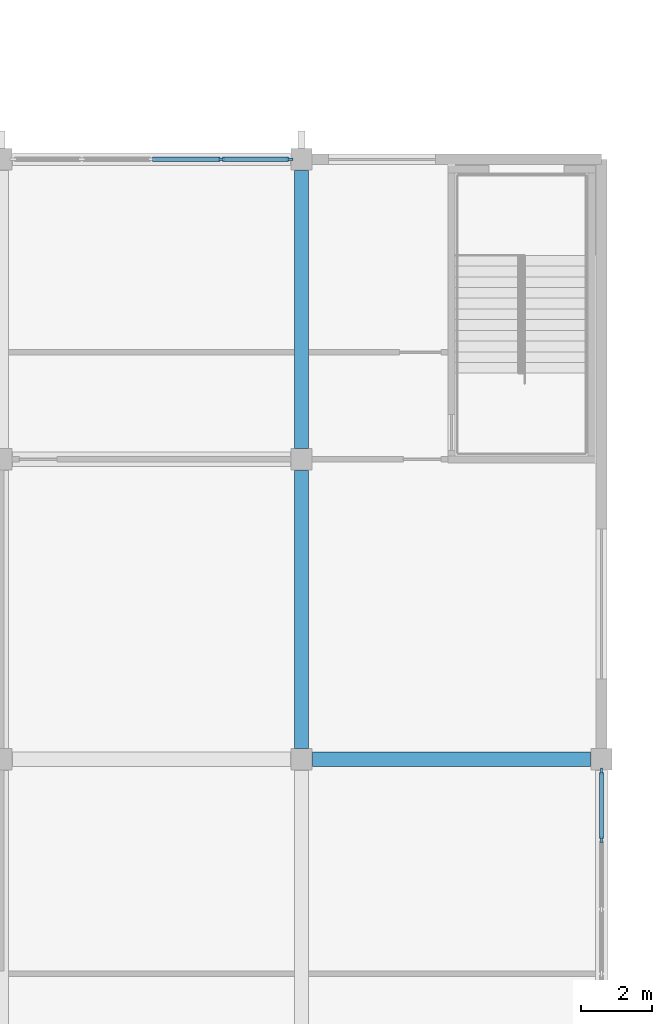
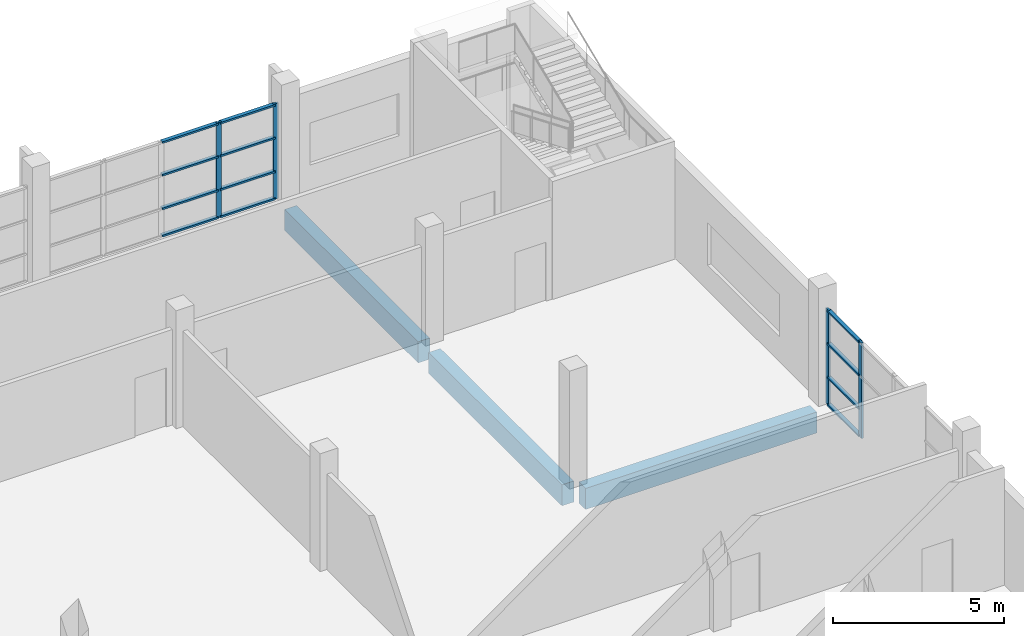
# One storey, part 6 of 56: 16 members, 3 beams, 2 elements without a shape of their own.
"""IFC4 building model written with IfcOpenShell, lengths in metres."""

from ifc_helpers import new_model, si_unit, direction, frame, origin, origin_2d, place, context, subcontext, project, spatial, rectangle, extrude, material, layer, layer_set, material_profile, profile_set, type_object, element, aggregate, save


model = new_model("IFC4")

# Units and contexts
model_context = context("Model", 3, precision=1e-05, world=origin(), true_north=direction((0.0, 1.0)))
body_context = subcontext(model_context, "Body", "Model", "MODEL_VIEW")
ifc_project = project(units=[si_unit("LENGTHUNIT", "METRE"), si_unit("AREAUNIT", "SQUARE_METRE"), si_unit("VOLUMEUNIT", "CUBIC_METRE"), si_unit("PLANEANGLEUNIT", "RADIAN"), si_unit("MASSUNIT", "GRAM", prefix="KILO")], contexts=[model_context])

# Site, building, storey
site_placement = place(None, origin())
site = spatial("IfcSite", under=ifc_project, at=site_placement, CompositionType="ELEMENT")
building_placement = place(site_placement, origin())
building = spatial("IfcBuilding", under=site, at=building_placement, Name="Rulbaag Community and Learning Centre", CompositionType="ELEMENT")
storey_placement = place(building_placement, frame((0.0, 0.0, 9.89990234375)))
storey = spatial("IfcBuildingStorey", under=building, at=storey_placement, Name="L02", CompositionType="ELEMENT", Elevation=9.89990234375)

# Beams
ifc_material_1 = material(Name="Concrete M40", Category="concrete")
ifc_material_profile_1 = material_profile(ifc_material_1, rectangle(XDim=0.39990234375, YDim=0.75, at=origin_2d()), Name="RB400x750")
ifc_profile_set_1 = profile_set([ifc_material_profile_1], Name="Concrete M40")
beam_type = type_object("IfcBeamType", Name="B22 Classroom floor beam 400x750 Concrete M40", PredefinedType="BEAM", material=ifc_profile_set_1)
for number, where, z_axis, x_axis, name in (
    (1, (159.905029296875, 33.60009765625, -0.625), (1.0, 0.0, 0.0), (0.0, 1.0, 0.0), "BM-L02-20E-21E"),
    (2, (159.60009765625, 33.905029296875, -0.625), (0.0, 1.0, 0.0), (-1.0, 0.0, 0.0), "BM-L02-20E-20F"),
    (3, (159.60009765625, 42.304931640625, -0.625), (0.0, 1.0, 0.0), (-1.0, 0.0, 0.0), "BM-L02-20F-20G"),
):
    element("IfcBeam", number, at=place(storey_placement, frame(where, z_axis=z_axis, x_axis=x_axis)), inside=storey, type_object=beam_type, Name=name, PredefinedType="BEAM", context=body_context, shape_type="SweptSolid", body=[
        extrude(rectangle(XDim=0.39990234375, YDim=0.75, at=origin_2d()), origin(), (0.0, 0.0, 1.0), 7.7900390625),
    ])

# Curtain wall, members
ifc_material_2 = material(Name="Aluminium", Category="aluminium")
ifc_layer = layer(ifc_material_2, 0.14990234375)
ifc_layer_set = layer_set([ifc_layer], Name="CW-L")
curtain_wall_type = type_object("IfcCurtainWallType", Name="CW-L", PredefinedType="USERDEFINED", material=ifc_layer_set)
curtain_wall_1_placement = place(storey_placement, origin())
curtain_wall_1 = element("IfcCurtainWall", 4, at=curtain_wall_1_placement, inside=storey, type_object=curtain_wall_type, Name="GL-L02-05", ObjectType="STICK CURTAIN WALL", PredefinedType="USERDEFINED")
ifc_material_3 = material(Name="Aluminium mullion", Category="aluminium")
ifc_material_profile_2 = material_profile(ifc_material_3, rectangle(XDim=0.06494140625, YDim=0.175048828125, at=origin_2d()), Name="AL 65x175")
ifc_profile_set_2 = profile_set([ifc_material_profile_2], Name="Aluminium mullion")
member_type_1 = type_object("IfcMemberType", Name="CW-L-MUL", PredefinedType="MULLION", material=ifc_profile_set_2)
member_1_placement = place(storey_placement, frame((157.35009765625, 50.39990234375, 0.0), z_axis=(0.0, 0.0, 1.0), x_axis=(0.0, 1.0, 0.0)))
member_1 = element("IfcMember", 5, at=member_1_placement, type_object=member_type_1, Name="GL mullion 4", PredefinedType="MULLION", context=body_context, shape_type="SweptSolid", body=[
    extrude(rectangle(XDim=0.06494140625, YDim=0.175048828125, at=origin_2d()), origin(), (0.0, 0.0, 1.0), 3.400146484375),
])
member_2_placement = place(storey_placement, frame((159.267578125, 50.39990234375, 0.0), z_axis=(0.0, 0.0, 1.0), x_axis=(0.0, 1.0, 0.0)))
member_2 = element("IfcMember", 6, at=member_2_placement, type_object=member_type_1, Name="GL mullion 5", PredefinedType="MULLION", context=body_context, shape_type="SweptSolid", body=[
    extrude(rectangle(XDim=0.06494140625, YDim=0.175048828125, at=origin_2d()), origin(), (0.0, 0.0, 1.0), 3.400146484375),
])

curtain_wall_2_placement = place(storey_placement, origin())
curtain_wall_2 = element("IfcCurtainWall", 7, at=curtain_wall_2_placement, inside=storey, type_object=curtain_wall_type, Name="GL-L02-07", ObjectType="STICK CURTAIN WALL", PredefinedType="USERDEFINED")
member_3_placement = place(storey_placement, frame((168.0, 31.35009765625, 0.0), z_axis=(0.0, 0.0, 1.0), x_axis=(-1.0, 0.0, 0.0)))
member_3 = element("IfcMember", 8, at=member_3_placement, type_object=member_type_1, Name="GL mullion 4", PredefinedType="MULLION", context=body_context, shape_type="SweptSolid", body=[
    extrude(rectangle(XDim=0.06494140625, YDim=0.175048828125, at=origin_2d()), origin(), (0.0, 0.0, 1.0), 3.400146484375),
])
member_4_placement = place(storey_placement, frame((168.0, 33.267578125, 0.0), z_axis=(0.0, 0.0, 1.0), x_axis=(-1.0, 0.0, 0.0)))
member_4 = element("IfcMember", 9, at=member_4_placement, type_object=member_type_1, Name="GL mullion 5", PredefinedType="MULLION", context=body_context, shape_type="SweptSolid", body=[
    extrude(rectangle(XDim=0.06494140625, YDim=0.175048828125, at=origin_2d()), origin(), (0.0, 0.0, 1.0), 3.400146484375),
])

# Member
ifc_material_4 = material(Name="Aluminium transom", Category="aluminium")
ifc_material_profile_3 = material_profile(ifc_material_4, rectangle(XDim=0.125, YDim=0.06494140625, at=origin_2d()), Name="AL 65x125 T")
ifc_profile_set_3 = profile_set([ifc_material_profile_3], Name="Aluminium transom")
member_type_2 = type_object("IfcMemberType", Name="CW-L-TRN", PredefinedType="USERDEFINED", material=ifc_profile_set_3)
member_5_placement = place(storey_placement, frame((155.4326171875, 50.39990234375, 0.03271484375), z_axis=(1.0, 0.0, 0.0), x_axis=(0.0, 1.0, 0.0)))
member_5 = element("IfcMember", 10, at=member_5_placement, type_object=member_type_2, Name="GL transom 3.1", ObjectType="TRANSOM", PredefinedType="USERDEFINED", context=body_context, shape_type="SweptSolid", body=[
    extrude(rectangle(XDim=0.125, YDim=0.06494140625, at=origin_2d()), origin(), (0.0, 0.0, 1.0), 1.884765625),
])

member_6_placement = place(storey_placement, frame((155.4326171875, 50.39990234375, 1.0), z_axis=(1.0, 0.0, 0.0), x_axis=(0.0, 1.0, 0.0)))
member_6 = element("IfcMember", 11, at=member_6_placement, type_object=member_type_2, Name="GL transom 3.2", ObjectType="TRANSOM", PredefinedType="USERDEFINED", context=body_context, shape_type="SweptSolid", body=[
    extrude(rectangle(XDim=0.125, YDim=0.06494140625, at=origin_2d()), origin(), (0.0, 0.0, 1.0), 1.884765625),
])

member_7_placement = place(storey_placement, frame((155.4326171875, 50.39990234375, 2.2001953125), z_axis=(1.0, 0.0, 0.0), x_axis=(0.0, 1.0, 0.0)))
member_7 = element("IfcMember", 12, at=member_7_placement, type_object=member_type_2, Name="GL transom 3.3", ObjectType="TRANSOM", PredefinedType="USERDEFINED", context=body_context, shape_type="SweptSolid", body=[
    extrude(rectangle(XDim=0.125, YDim=0.06494140625, at=origin_2d()), origin(), (0.0, 0.0, 1.0), 1.884765625),
])

member_8_placement = place(storey_placement, frame((155.4326171875, 50.39990234375, 3.36767578125), z_axis=(1.0, 0.0, 0.0), x_axis=(0.0, 1.0, 0.0)))
member_8 = element("IfcMember", 13, at=member_8_placement, type_object=member_type_2, Name="GL transom 3.4", ObjectType="TRANSOM", PredefinedType="USERDEFINED", context=body_context, shape_type="SweptSolid", body=[
    extrude(rectangle(XDim=0.125, YDim=0.06494140625, at=origin_2d()), origin(), (0.0, 0.0, 1.0), 1.884765625),
])

member_9_placement = place(storey_placement, frame((157.382568359375, 50.39990234375, 0.03271484375), z_axis=(1.0, 0.0, 0.0), x_axis=(0.0, 1.0, 0.0)))
member_9 = element("IfcMember", 14, at=member_9_placement, type_object=member_type_2, Name="GL transom 4.1", ObjectType="TRANSOM", PredefinedType="USERDEFINED", context=body_context, shape_type="SweptSolid", body=[
    extrude(rectangle(XDim=0.125, YDim=0.06494140625, at=origin_2d()), origin(), (0.0, 0.0, 1.0), 1.8525390625),
])

member_10_placement = place(storey_placement, frame((157.382568359375, 50.39990234375, 1.0), z_axis=(1.0, 0.0, 0.0), x_axis=(0.0, 1.0, 0.0)))
member_10 = element("IfcMember", 15, at=member_10_placement, type_object=member_type_2, Name="GL transom 4.2", ObjectType="TRANSOM", PredefinedType="USERDEFINED", context=body_context, shape_type="SweptSolid", body=[
    extrude(rectangle(XDim=0.125, YDim=0.06494140625, at=origin_2d()), origin(), (0.0, 0.0, 1.0), 1.8525390625),
])

member_11_placement = place(storey_placement, frame((157.382568359375, 50.39990234375, 2.2001953125), z_axis=(1.0, 0.0, 0.0), x_axis=(0.0, 1.0, 0.0)))
member_11 = element("IfcMember", 16, at=member_11_placement, type_object=member_type_2, Name="GL transom 4.3", ObjectType="TRANSOM", PredefinedType="USERDEFINED", context=body_context, shape_type="SweptSolid", body=[
    extrude(rectangle(XDim=0.125, YDim=0.06494140625, at=origin_2d()), origin(), (0.0, 0.0, 1.0), 1.8525390625),
])

member_12_placement = place(storey_placement, frame((157.382568359375, 50.39990234375, 3.36767578125), z_axis=(1.0, 0.0, 0.0), x_axis=(0.0, 1.0, 0.0)))
member_12 = element("IfcMember", 17, at=member_12_placement, type_object=member_type_2, Name="GL transom 4.4", ObjectType="TRANSOM", PredefinedType="USERDEFINED", context=body_context, shape_type="SweptSolid", body=[
    extrude(rectangle(XDim=0.125, YDim=0.06494140625, at=origin_2d()), origin(), (0.0, 0.0, 1.0), 1.8525390625),
])

aggregate(curtain_wall_1, [member_1, member_2, member_5, member_6, member_7, member_8, member_9, member_10, member_11, member_12])

member_13_placement = place(storey_placement, frame((168.0, 31.382568359375, 0.03271484375), z_axis=(0.0, 1.0, 0.0), x_axis=(-1.0, 0.0, 0.0)))
member_13 = element("IfcMember", 18, at=member_13_placement, type_object=member_type_2, Name="GL transom 4.1", ObjectType="TRANSOM", PredefinedType="USERDEFINED", context=body_context, shape_type="SweptSolid", body=[
    extrude(rectangle(XDim=0.125, YDim=0.06494140625, at=origin_2d()), origin(), (0.0, 0.0, 1.0), 1.8525390625),
])

member_14_placement = place(storey_placement, frame((168.0, 31.382568359375, 1.0), z_axis=(0.0, 1.0, 0.0), x_axis=(-1.0, 0.0, 0.0)))
member_14 = element("IfcMember", 19, at=member_14_placement, type_object=member_type_2, Name="GL transom 4.2", ObjectType="TRANSOM", PredefinedType="USERDEFINED", context=body_context, shape_type="SweptSolid", body=[
    extrude(rectangle(XDim=0.125, YDim=0.06494140625, at=origin_2d()), origin(), (0.0, 0.0, 1.0), 1.8525390625),
])

member_15_placement = place(storey_placement, frame((168.0, 31.382568359375, 2.2001953125), z_axis=(0.0, 1.0, 0.0), x_axis=(-1.0, 0.0, 0.0)))
member_15 = element("IfcMember", 20, at=member_15_placement, type_object=member_type_2, Name="GL transom 4.3", ObjectType="TRANSOM", PredefinedType="USERDEFINED", context=body_context, shape_type="SweptSolid", body=[
    extrude(rectangle(XDim=0.125, YDim=0.06494140625, at=origin_2d()), origin(), (0.0, 0.0, 1.0), 1.8525390625),
])

member_16_placement = place(storey_placement, frame((168.0, 31.382568359375, 3.36767578125), z_axis=(0.0, 1.0, 0.0), x_axis=(-1.0, 0.0, 0.0)))
member_16 = element("IfcMember", 21, at=member_16_placement, type_object=member_type_2, Name="GL transom 4.4", ObjectType="TRANSOM", PredefinedType="USERDEFINED", context=body_context, shape_type="SweptSolid", body=[
    extrude(rectangle(XDim=0.125, YDim=0.06494140625, at=origin_2d()), origin(), (0.0, 0.0, 1.0), 1.8525390625),
])

aggregate(curtain_wall_2, [member_3, member_4, member_13, member_14, member_15, member_16])

save(model, "model.ifc")
